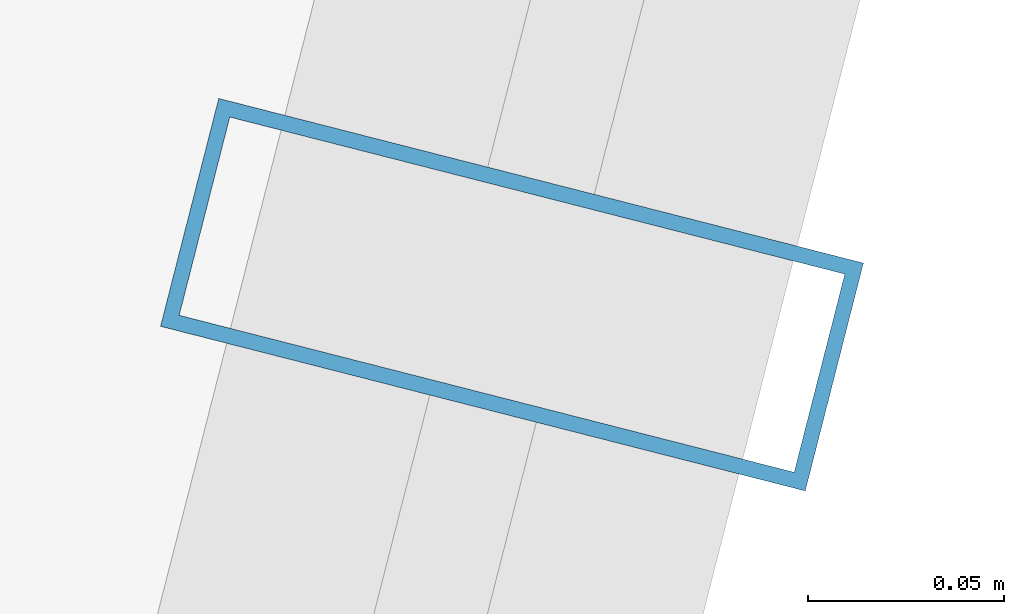
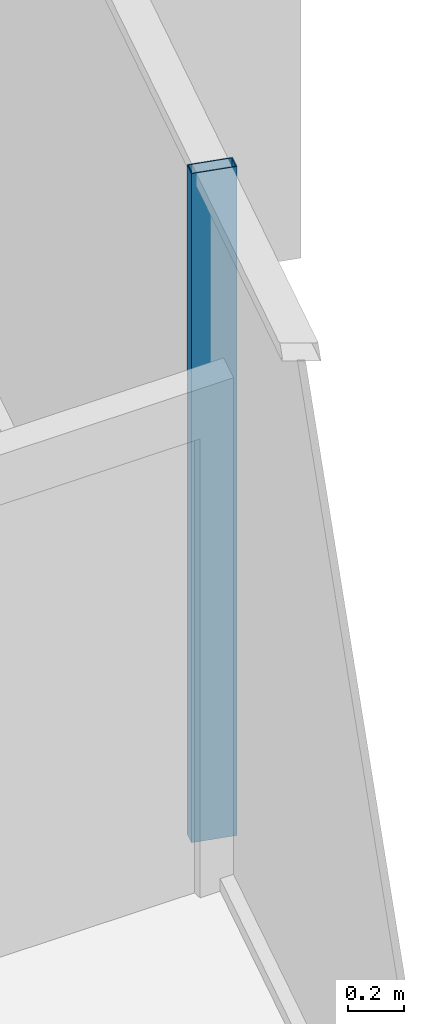
# One storey, part 17 of 39: 1 member, 1 element without a shape of its own.
"""IFC4 building model written with IfcOpenShell, lengths in metres."""

from ifc_helpers import new_model, si_unit, direction, frame, origin, origin_2d, place, context, subcontext, project, spatial, hollow_rectangle, extrude, source, transform, mapped, material, layer, layer_set, material_profile, profile_set, type_object, element, aggregate, save


model = new_model("IFC4")

# Units and contexts
model_context = context("Model", 3, precision=1e-05, world=origin(), true_north=direction((0.0, 1.0)))
body_context = subcontext(model_context, "Body", "Model", "MODEL_VIEW")
ifc_project = project(units=[si_unit("LENGTHUNIT", "METRE"), si_unit("AREAUNIT", "SQUARE_METRE"), si_unit("VOLUMEUNIT", "CUBIC_METRE"), si_unit("PLANEANGLEUNIT", "RADIAN"), si_unit("MASSUNIT", "GRAM", prefix="KILO")], contexts=[model_context])

# Site, building, storey
site_placement = place(None, origin())
site = spatial("IfcSite", under=ifc_project, at=site_placement, CompositionType="ELEMENT")
building_placement = place(site_placement, origin())
building = spatial("IfcBuilding", under=site, at=building_placement, Name="Veraguas Prism Commons", CompositionType="ELEMENT")
storey_placement = place(building_placement, frame((0.0, 0.0, 77.10009765625)))
storey = spatial("IfcBuildingStorey", under=building, at=storey_placement, Name="L21", CompositionType="ELEMENT", Elevation=77.10009765625)

# Curtain wall, member
ifc_material = material(Name="Anodised aluminium EN AW-6063 T6", Category="aluminium")
ifc_layer = layer(ifc_material, 0.169921875, Name="Unitised Flush Curtain Wall Zone 1", Category="aluminium")
ifc_layer_set = layer_set([ifc_layer], Name="Anodised aluminium EN AW-6063 T6")
curtain_wall_type = type_object("IfcCurtainWallType", Name="Unitised Flush Curtain Wall Zone 1", PredefinedType="NOTDEFINED", material=ifc_layer_set)
curtain_wall_placement = place(storey_placement, origin())
curtain_wall = element("IfcCurtainWall", 1, at=curtain_wall_placement, inside=storey, type_object=curtain_wall_type, Name="Tower Facade Curtain Wall L21-F6", PredefinedType="NOTDEFINED")
ifc_material_profile = material_profile(ifc_material, hollow_rectangle(XDim=0.06005859375, YDim=0.169921875, WallThickness=0.00390625, at=origin_2d()), Name="AL60X170X4")
ifc_profile_set = profile_set([ifc_material_profile], Name="Anodised aluminium EN AW-6063 T6")
member_type = type_object("IfcMemberType", Name="Curtain Wall Mullion Lower AL 60x170x4", PredefinedType="MULLION", material=ifc_profile_set)
shared_shape = source(origin(), body_context, "Body", "SweptSolid", [
    extrude(hollow_rectangle(XDim=0.06005859375, YDim=0.169921875, WallThickness=0.00390625, at=origin_2d()), origin(), (0.0, 0.0, 1.0), 2.929931640625),
])
member_placement = place(storey_placement, frame((44.138916015625, 18.859130859375, 0.0), z_axis=(0.0, 0.0, 1.0), x_axis=(0.247340630168, 0.968928590077, 0.0)))
member = element("IfcMember", 2, at=member_placement, type_object=member_type, Name="CW-Z1 Mullion 3", PredefinedType="MULLION", context=body_context, shape_type="MappedRepresentation", body=[
    mapped(shared_shape, transform((0.0, 0.0, 0.0), scale=1.0)),
])
aggregate(curtain_wall, [member])

save(model, "model.ifc")
